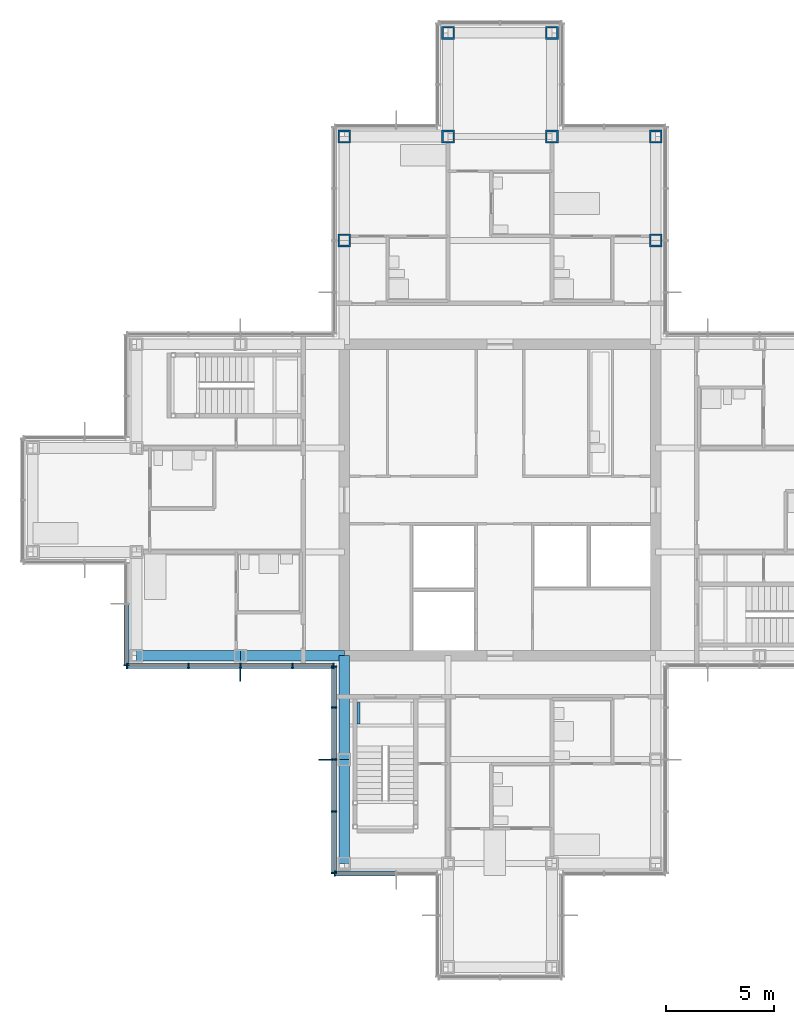
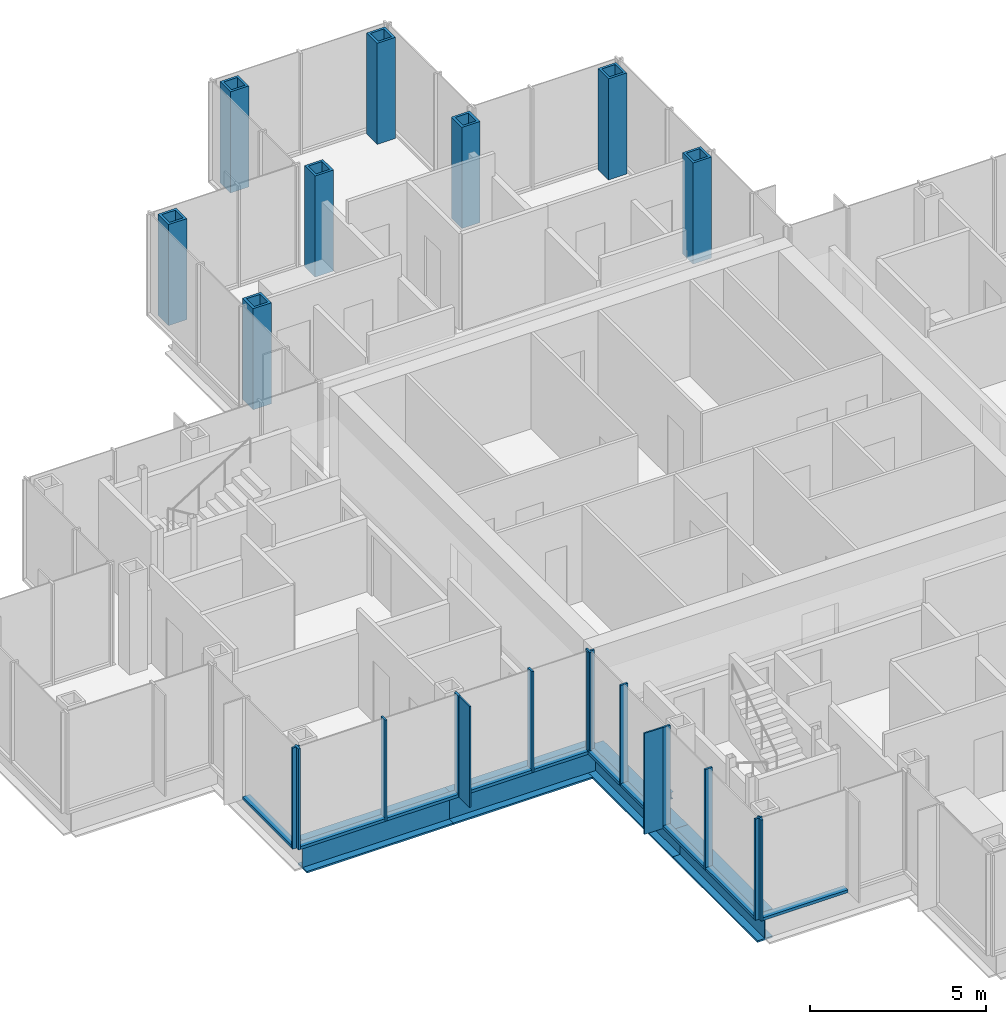
# One storey, part 5 of 17: 24 members, 8 columns, 5 beams, 4 elements without a shape of their own.
"""IFC4 building model written with IfcOpenShell, lengths in metres."""

from ifc_helpers import new_model, si_unit, direction, frame, origin, origin_2d, place, context, subcontext, project, spatial, rectangle, hollow_rectangle, i_section, extrude, material, material_profile, profile_set, type_object, element, aggregate, save


model = new_model("IFC4")

# Units and contexts
model_context = context("Model", 3, precision=1e-05, world=origin(), true_north=direction((0.0, 1.0)))
body_context = subcontext(model_context, "Body", "Model", "MODEL_VIEW")
ifc_project = project(units=[si_unit("LENGTHUNIT", "METRE"), si_unit("AREAUNIT", "SQUARE_METRE"), si_unit("VOLUMEUNIT", "CUBIC_METRE"), si_unit("PLANEANGLEUNIT", "RADIAN"), si_unit("MASSUNIT", "GRAM", prefix="KILO")], contexts=[model_context])

# Site, building, storey
site_placement = place(None, origin())
site = spatial("IfcSite", under=ifc_project, at=site_placement, CompositionType="ELEMENT")
building_placement = place(site_placement, origin())
building = spatial("IfcBuilding", under=site, at=building_placement, Name="Kvirike Care Tower", CompositionType="ELEMENT")
storey_placement = place(building_placement, frame((0.0, 0.0, 183.0)))
storey = spatial("IfcBuildingStorey", under=building, at=storey_placement, Name="L50", CompositionType="ELEMENT", Elevation=183.0)

# Columns
ifc_material_1 = material(Name="Steel S460", Category="steel")
ifc_material_profile_1 = material_profile(ifc_material_1, hollow_rectangle(XDim=0.60009765625, YDim=0.60009765625, WallThickness=0.080078125, at=origin_2d()), Name="BX 600x600x80")
ifc_profile_set_1 = profile_set([ifc_material_profile_1], Name="Steel S460")
column_type = type_object("IfcColumnType", Name="COLUMN BX 600x600x80", PredefinedType="COLUMN", material=ifc_profile_set_1)
for number, where, z_axis, x_axis, name in (
    (1, (14.39990234375, 48.0, 0.0), (0.0, 0.0, 1.0), (1.0, 0.0, 0.0), "Column L6 L50"),
    (2, (14.39990234375, 52.800048828125, 0.0), (0.0, 0.0, 1.0), (0.0, 1.0, 0.0), "Column M6 L50"),
    (3, (19.199951171875, 52.800048828125, 0.0), (0.0, 0.0, 1.0), (0.0, 1.0, 0.0), "Column M7 L50"),
    (4, (19.199951171875, 57.60009765625, 0.0), (0.0, 0.0, 1.0), (0.0, 1.0, 0.0), "Column N7 L50"),
    (5, (24.0, 52.800048828125, 0.0), (0.0, 0.0, 1.0), (0.0, 1.0, 0.0), "Column M8 L50"),
    (6, (24.0, 57.60009765625, 0.0), (0.0, 0.0, 1.0), (0.0, 1.0, 0.0), "Column N8 L50"),
    (7, (28.800048828125, 48.0, 0.0), (0.0, 0.0, 1.0), (1.0, 0.0, 0.0), "Column L9 L50"),
    (8, (28.800048828125, 52.800048828125, 0.0), (0.0, 0.0, 1.0), (0.0, 1.0, 0.0), "Column M9 L50"),
):
    element("IfcColumn", number, at=place(storey_placement, frame(where, z_axis=z_axis, x_axis=x_axis)), inside=storey, type_object=column_type, Name=name, PredefinedType="COLUMN", context=body_context, shape_type="SweptSolid", body=[
        extrude(hollow_rectangle(XDim=0.60009765625, YDim=0.60009765625, WallThickness=0.080078125, at=origin_2d()), origin(), (0.0, 0.0, 1.0), 3.5),
    ])

# Curtain wall, member
ifc_material_2 = material(Name="Anodised aluminium stick system", Category="aluminium")
curtain_wall_type = type_object("IfcCurtainWallType", Name="CW-C STICK CURTAIN WALL", PredefinedType="NOTDEFINED", material=ifc_material_2)
curtain_wall_1_placement = place(storey_placement, origin())
curtain_wall_1 = element("IfcCurtainWall", 9, at=curtain_wall_1_placement, inside=storey, type_object=curtain_wall_type, Name="Curtain wall L50 face 21", PredefinedType="NOTDEFINED")
ifc_material_3 = material(Name="Bronze anodised aluminium fin", Category="aluminium")
ifc_material_profile_2 = material_profile(ifc_material_3, rectangle(XDim=0.050048828125, YDim=0.60009765625, at=origin_2d()), Name="BRONZE FIN 600")
ifc_profile_set_2 = profile_set([ifc_material_profile_2], Name="Bronze anodised aluminium fin")
member_type_1 = type_object("IfcMemberType", Name="BRONZE FIN 600", PredefinedType="USERDEFINED", material=ifc_profile_set_2)
member_1_placement = place(storey_placement, frame((9.60009765625, 27.909912109375, 0.0), z_axis=(0.0, 0.0, 1.0), x_axis=(1.0, 0.0, 0.0)))
member_1 = element("IfcMember", 10, at=member_1_placement, type_object=member_type_1, Name="Bronze fin L50 face 21.3", ObjectType="FIN", PredefinedType="USERDEFINED", context=body_context, shape_type="SweptSolid", body=[
    extrude(rectangle(XDim=0.050048828125, YDim=0.60009765625, at=origin_2d()), origin(), (0.0, 0.0, 1.0), 3.5),
])

curtain_wall_2_placement = place(storey_placement, origin())
curtain_wall_2 = element("IfcCurtainWall", 11, at=curtain_wall_2_placement, inside=storey, type_object=curtain_wall_type, Name="Curtain wall L50 face 22", PredefinedType="NOTDEFINED")
member_2_placement = place(storey_placement, frame((13.510009765625, 24.0, 0.0), z_axis=(0.0, 0.0, 1.0), x_axis=(0.0, -1.0, 0.0)))
member_2 = element("IfcMember", 12, at=member_2_placement, type_object=member_type_1, Name="Bronze fin L50 face 22.3", ObjectType="FIN", PredefinedType="USERDEFINED", context=body_context, shape_type="SweptSolid", body=[
    extrude(rectangle(XDim=0.050048828125, YDim=0.60009765625, at=origin_2d()), origin(), (0.0, 0.0, 1.0), 3.5),
])

curtain_wall_3_placement = place(storey_placement, origin())
curtain_wall_3 = element("IfcCurtainWall", 13, at=curtain_wall_3_placement, inside=storey, type_object=curtain_wall_type, Name="Curtain wall L50 face 20", PredefinedType="NOTDEFINED")
ifc_material_4 = material(Name="Bronze anodised aluminium mullion", Category="aluminium")
ifc_material_profile_3 = material_profile(ifc_material_4, rectangle(XDim=0.06494140625, YDim=0.239990234375, at=origin_2d()), Name="CW-C MULLION 65x240")
ifc_profile_set_3 = profile_set([ifc_material_profile_3], Name="Bronze anodised aluminium mullion")
member_type_2 = type_object("IfcMemberType", Name="CW-C MULLION 65x240", PredefinedType="MULLION", material=ifc_profile_set_3)
member_3_placement = place(storey_placement, frame((4.330078125, 28.362548828125, 0.0), z_axis=(0.0, 0.0, 1.0), x_axis=(0.0, -1.0, 0.0)))
member_3 = element("IfcMember", 14, at=member_3_placement, type_object=member_type_2, Name="CW-C mullion L50 face 20.3", PredefinedType="MULLION", context=body_context, shape_type="SweptSolid", body=[
    extrude(rectangle(XDim=0.06494140625, YDim=0.239990234375, at=origin_2d()), origin(), (0.0, 0.0, 1.0), 3.5),
])

# Member
member_4_placement = place(storey_placement, frame((4.362548828125, 28.330078125, 0.0), z_axis=(0.0, 0.0, 1.0), x_axis=(1.0, 0.0, 0.0)))
member_4 = element("IfcMember", 15, at=member_4_placement, type_object=member_type_2, Name="CW-C mullion L50 face 21.1", PredefinedType="MULLION", context=body_context, shape_type="SweptSolid", body=[
    extrude(rectangle(XDim=0.06494140625, YDim=0.239990234375, at=origin_2d()), origin(), (0.0, 0.0, 1.0), 3.5),
])

member_5_placement = place(storey_placement, frame((7.199951171875, 28.330078125, 0.0), z_axis=(0.0, 0.0, 1.0), x_axis=(1.0, 0.0, 0.0)))
member_5 = element("IfcMember", 16, at=member_5_placement, type_object=member_type_2, Name="CW-C mullion L50 face 21.2", PredefinedType="MULLION", context=body_context, shape_type="SweptSolid", body=[
    extrude(rectangle(XDim=0.06494140625, YDim=0.239990234375, at=origin_2d()), origin(), (0.0, 0.0, 1.0), 3.5),
])

member_6_placement = place(storey_placement, frame((9.60009765625, 28.330078125, 0.0), z_axis=(0.0, 0.0, 1.0), x_axis=(1.0, 0.0, 0.0)))
member_6 = element("IfcMember", 17, at=member_6_placement, type_object=member_type_2, Name="CW-C mullion L50 face 21.3", PredefinedType="MULLION", context=body_context, shape_type="SweptSolid", body=[
    extrude(rectangle(XDim=0.06494140625, YDim=0.239990234375, at=origin_2d()), origin(), (0.0, 0.0, 1.0), 3.5),
])

member_7_placement = place(storey_placement, frame((12.0, 28.330078125, 0.0), z_axis=(0.0, 0.0, 1.0), x_axis=(1.0, 0.0, 0.0)))
member_7 = element("IfcMember", 18, at=member_7_placement, type_object=member_type_2, Name="CW-C mullion L50 face 21.4", PredefinedType="MULLION", context=body_context, shape_type="SweptSolid", body=[
    extrude(rectangle(XDim=0.06494140625, YDim=0.239990234375, at=origin_2d()), origin(), (0.0, 0.0, 1.0), 3.5),
])

member_8_placement = place(storey_placement, frame((13.8974609375, 28.330078125, 0.0), z_axis=(0.0, 0.0, 1.0), x_axis=(1.0, 0.0, 0.0)))
member_8 = element("IfcMember", 19, at=member_8_placement, type_object=member_type_2, Name="CW-C mullion L50 face 21.5", PredefinedType="MULLION", context=body_context, shape_type="SweptSolid", body=[
    extrude(rectangle(XDim=0.06494140625, YDim=0.239990234375, at=origin_2d()), origin(), (0.0, 0.0, 1.0), 3.5),
])

member_9_placement = place(storey_placement, frame((13.929931640625, 28.297607421875, 0.0), z_axis=(0.0, 0.0, 1.0), x_axis=(0.0, -1.0, 0.0)))
member_9 = element("IfcMember", 20, at=member_9_placement, type_object=member_type_2, Name="CW-C mullion L50 face 22.1", PredefinedType="MULLION", context=body_context, shape_type="SweptSolid", body=[
    extrude(rectangle(XDim=0.06494140625, YDim=0.239990234375, at=origin_2d()), origin(), (0.0, 0.0, 1.0), 3.5),
])

member_10_placement = place(storey_placement, frame((13.929931640625, 26.39990234375, 0.0), z_axis=(0.0, 0.0, 1.0), x_axis=(0.0, -1.0, 0.0)))
member_10 = element("IfcMember", 21, at=member_10_placement, type_object=member_type_2, Name="CW-C mullion L50 face 22.2", PredefinedType="MULLION", context=body_context, shape_type="SweptSolid", body=[
    extrude(rectangle(XDim=0.06494140625, YDim=0.239990234375, at=origin_2d()), origin(), (0.0, 0.0, 1.0), 3.5),
])

member_11_placement = place(storey_placement, frame((13.929931640625, 24.0, 0.0), z_axis=(0.0, 0.0, 1.0), x_axis=(0.0, -1.0, 0.0)))
member_11 = element("IfcMember", 22, at=member_11_placement, type_object=member_type_2, Name="CW-C mullion L50 face 22.3", PredefinedType="MULLION", context=body_context, shape_type="SweptSolid", body=[
    extrude(rectangle(XDim=0.06494140625, YDim=0.239990234375, at=origin_2d()), origin(), (0.0, 0.0, 1.0), 3.5),
])

member_12_placement = place(storey_placement, frame((13.929931640625, 21.60009765625, 0.0), z_axis=(0.0, 0.0, 1.0), x_axis=(0.0, -1.0, 0.0)))
member_12 = element("IfcMember", 23, at=member_12_placement, type_object=member_type_2, Name="CW-C mullion L50 face 22.4", PredefinedType="MULLION", context=body_context, shape_type="SweptSolid", body=[
    extrude(rectangle(XDim=0.06494140625, YDim=0.239990234375, at=origin_2d()), origin(), (0.0, 0.0, 1.0), 3.5),
])

member_13_placement = place(storey_placement, frame((13.929931640625, 18.762451171875, 0.0), z_axis=(0.0, 0.0, 1.0), x_axis=(0.0, -1.0, 0.0)))
member_13 = element("IfcMember", 24, at=member_13_placement, type_object=member_type_2, Name="CW-C mullion L50 face 22.5", PredefinedType="MULLION", context=body_context, shape_type="SweptSolid", body=[
    extrude(rectangle(XDim=0.06494140625, YDim=0.239990234375, at=origin_2d()), origin(), (0.0, 0.0, 1.0), 3.5),
])

# Curtain wall, member
curtain_wall_4_placement = place(storey_placement, origin())
curtain_wall_4 = element("IfcCurtainWall", 25, at=curtain_wall_4_placement, inside=storey, type_object=curtain_wall_type, Name="Curtain wall L50 face 23", PredefinedType="NOTDEFINED")
member_14_placement = place(storey_placement, frame((13.96240234375, 18.72998046875, 0.0), z_axis=(0.0, 0.0, 1.0), x_axis=(1.0, 0.0, 0.0)))
member_14 = element("IfcMember", 26, at=member_14_placement, type_object=member_type_2, Name="CW-C mullion L50 face 23.1", PredefinedType="MULLION", context=body_context, shape_type="SweptSolid", body=[
    extrude(rectangle(XDim=0.06494140625, YDim=0.239990234375, at=origin_2d()), origin(), (0.0, 0.0, 1.0), 3.5),
])

# Member
ifc_material_5 = material(Name="Bronze anodised aluminium transom", Category="aluminium")
ifc_material_profile_4 = material_profile(ifc_material_5, rectangle(XDim=0.239990234375, YDim=0.10009765625, at=origin_2d()), Name="CW-C TRANSOM 240x100")
ifc_profile_set_4 = profile_set([ifc_material_profile_4], Name="Bronze anodised aluminium transom")
member_type_3 = type_object("IfcMemberType", Name="CW-C TRANSOM 240x100", PredefinedType="USERDEFINED", material=ifc_profile_set_4)
member_15_placement = place(storey_placement, frame((4.330078125, 31.16748046875, 0.050048828125), z_axis=(0.0, -1.0, 0.0), x_axis=(1.0, 0.0, 0.0)))
member_15 = element("IfcMember", 27, at=member_15_placement, type_object=member_type_3, Name="CW-C sill transom L50 face 20.2", ObjectType="TRANSOM", PredefinedType="USERDEFINED", context=body_context, shape_type="SweptSolid", body=[
    extrude(rectangle(XDim=0.239990234375, YDim=0.10009765625, at=origin_2d()), origin(), (0.0, 0.0, 1.0), 2.7724609375),
])

aggregate(curtain_wall_3, [member_3, member_15])

member_16_placement = place(storey_placement, frame((4.39501953125, 28.330078125, 0.050048828125), z_axis=(1.0, 0.0, 0.0), x_axis=(0.0, 1.0, 0.0)))
member_16 = element("IfcMember", 28, at=member_16_placement, type_object=member_type_3, Name="CW-C sill transom L50 face 21.1", ObjectType="TRANSOM", PredefinedType="USERDEFINED", context=body_context, shape_type="SweptSolid", body=[
    extrude(rectangle(XDim=0.239990234375, YDim=0.10009765625, at=origin_2d()), origin(), (0.0, 0.0, 1.0), 2.7724609375),
])

member_17_placement = place(storey_placement, frame((7.232421875, 28.330078125, 0.050048828125), z_axis=(1.0, 0.0, 0.0), x_axis=(0.0, 1.0, 0.0)))
member_17 = element("IfcMember", 29, at=member_17_placement, type_object=member_type_3, Name="CW-C sill transom L50 face 21.2", ObjectType="TRANSOM", PredefinedType="USERDEFINED", context=body_context, shape_type="SweptSolid", body=[
    extrude(rectangle(XDim=0.239990234375, YDim=0.10009765625, at=origin_2d()), origin(), (0.0, 0.0, 1.0), 2.3349609375),
])

member_18_placement = place(storey_placement, frame((9.632568359375, 28.330078125, 0.050048828125), z_axis=(1.0, 0.0, 0.0), x_axis=(0.0, 1.0, 0.0)))
member_18 = element("IfcMember", 30, at=member_18_placement, type_object=member_type_3, Name="CW-C sill transom L50 face 21.3", ObjectType="TRANSOM", PredefinedType="USERDEFINED", context=body_context, shape_type="SweptSolid", body=[
    extrude(rectangle(XDim=0.239990234375, YDim=0.10009765625, at=origin_2d()), origin(), (0.0, 0.0, 1.0), 2.3349609375),
])

member_19_placement = place(storey_placement, frame((12.032470703125, 28.330078125, 0.050048828125), z_axis=(1.0, 0.0, 0.0), x_axis=(0.0, 1.0, 0.0)))
member_19 = element("IfcMember", 31, at=member_19_placement, type_object=member_type_3, Name="CW-C sill transom L50 face 21.4", ObjectType="TRANSOM", PredefinedType="USERDEFINED", context=body_context, shape_type="SweptSolid", body=[
    extrude(rectangle(XDim=0.239990234375, YDim=0.10009765625, at=origin_2d()), origin(), (0.0, 0.0, 1.0), 1.83251953125),
])

aggregate(curtain_wall_1, [member_4, member_5, member_6, member_1, member_7, member_8, member_16, member_17, member_18, member_19])

member_20_placement = place(storey_placement, frame((13.929931640625, 28.264892578125, 0.050048828125), z_axis=(0.0, -1.0, 0.0), x_axis=(1.0, 0.0, 0.0)))
member_20 = element("IfcMember", 32, at=member_20_placement, type_object=member_type_3, Name="CW-C sill transom L50 face 22.1", ObjectType="TRANSOM", PredefinedType="USERDEFINED", context=body_context, shape_type="SweptSolid", body=[
    extrude(rectangle(XDim=0.239990234375, YDim=0.10009765625, at=origin_2d()), origin(), (0.0, 0.0, 1.0), 1.832275390625),
])

member_21_placement = place(storey_placement, frame((13.929931640625, 26.367431640625, 0.050048828125), z_axis=(0.0, -1.0, 0.0), x_axis=(1.0, 0.0, 0.0)))
member_21 = element("IfcMember", 33, at=member_21_placement, type_object=member_type_3, Name="CW-C sill transom L50 face 22.2", ObjectType="TRANSOM", PredefinedType="USERDEFINED", context=body_context, shape_type="SweptSolid", body=[
    extrude(rectangle(XDim=0.239990234375, YDim=0.10009765625, at=origin_2d()), origin(), (0.0, 0.0, 1.0), 2.3349609375),
])

member_22_placement = place(storey_placement, frame((13.929931640625, 23.967529296875, 0.050048828125), z_axis=(0.0, -1.0, 0.0), x_axis=(1.0, 0.0, 0.0)))
member_22 = element("IfcMember", 34, at=member_22_placement, type_object=member_type_3, Name="CW-C sill transom L50 face 22.3", ObjectType="TRANSOM", PredefinedType="USERDEFINED", context=body_context, shape_type="SweptSolid", body=[
    extrude(rectangle(XDim=0.239990234375, YDim=0.10009765625, at=origin_2d()), origin(), (0.0, 0.0, 1.0), 2.3349609375),
])

member_23_placement = place(storey_placement, frame((13.929931640625, 21.5673828125, 0.050048828125), z_axis=(0.0, -1.0, 0.0), x_axis=(1.0, 0.0, 0.0)))
member_23 = element("IfcMember", 35, at=member_23_placement, type_object=member_type_3, Name="CW-C sill transom L50 face 22.4", ObjectType="TRANSOM", PredefinedType="USERDEFINED", context=body_context, shape_type="SweptSolid", body=[
    extrude(rectangle(XDim=0.239990234375, YDim=0.10009765625, at=origin_2d()), origin(), (0.0, 0.0, 1.0), 2.7724609375),
])

aggregate(curtain_wall_2, [member_9, member_10, member_11, member_2, member_12, member_13, member_20, member_21, member_22, member_23])

member_24_placement = place(storey_placement, frame((13.9951171875, 18.72998046875, 0.050048828125), z_axis=(1.0, 0.0, 0.0), x_axis=(0.0, 1.0, 0.0)))
member_24 = element("IfcMember", 36, at=member_24_placement, type_object=member_type_3, Name="CW-C sill transom L50 face 23.1", ObjectType="TRANSOM", PredefinedType="USERDEFINED", context=body_context, shape_type="SweptSolid", body=[
    extrude(rectangle(XDim=0.239990234375, YDim=0.10009765625, at=origin_2d()), origin(), (0.0, 0.0, 1.0), 2.7724609375),
])

aggregate(curtain_wall_4, [member_14, member_24])

# Beams
ifc_material_6 = material(Name="Steel S355", Category="steel")
ifc_material_profile_5 = material_profile(ifc_material_6, i_section(OverallWidth=0.5, OverallDepth=1.0, WebThickness=0.030029296875, FlangeThickness=0.06005859375, at=origin_2d()), Name="PG 1000x500x30x60")
ifc_profile_set_5 = profile_set([ifc_material_profile_5], Name="Steel S355")
beam_type_1 = type_object("IfcBeamType", Name="SPANDREL PG 1000x500x30x60", PredefinedType="SPANDREL", material=ifc_profile_set_5)
beam_1_placement = place(storey_placement, frame((4.800048828125, 28.800048828125, -0.669921875), z_axis=(1.0, 0.0, 0.0), x_axis=(0.0, 1.0, 0.0)))
element("IfcBeam", 37, at=beam_1_placement, inside=storey, type_object=beam_type_1, Name="Spandrel G4-G5 L50", PredefinedType="SPANDREL", context=body_context, shape_type="SweptSolid", body=[
    extrude(i_section(OverallWidth=0.5, OverallDepth=1.0, WebThickness=0.030029296875, FlangeThickness=0.06005859375, at=origin_2d()), origin(), (0.0, 0.0, 1.0), 4.800048828125),
])
beam_2_placement = place(storey_placement, frame((9.60009765625, 28.800048828125, -0.669921875), z_axis=(1.0, 0.0, 0.0), x_axis=(0.0, 1.0, 0.0)))
element("IfcBeam", 38, at=beam_2_placement, inside=storey, type_object=beam_type_1, Name="Spandrel G5-G6 L50", PredefinedType="SPANDREL", context=body_context, shape_type="SweptSolid", body=[
    extrude(i_section(OverallWidth=0.5, OverallDepth=1.0, WebThickness=0.030029296875, FlangeThickness=0.06005859375, at=origin_2d()), origin(), (0.0, 0.0, 1.0), 4.7998046875),
])
for number, where, z_axis, x_axis, name in (
    (39, (14.39990234375, 19.199951171875, -0.669921875), (0.0, 1.0, 0.0), (-1.0, 0.0, 0.0), "Spandrel E6-F6 L50"),
    (40, (14.39990234375, 24.0, -0.669921875), (0.0, 1.0, 0.0), (-1.0, 0.0, 0.0), "Spandrel F6-G6 L50"),
):
    element("IfcBeam", number, at=place(storey_placement, frame(where, z_axis=z_axis, x_axis=x_axis)), inside=storey, type_object=beam_type_1, Name=name, PredefinedType="SPANDREL", context=body_context, shape_type="SweptSolid", body=[
        extrude(i_section(OverallWidth=0.5, OverallDepth=1.0, WebThickness=0.030029296875, FlangeThickness=0.06005859375, at=origin_2d()), origin(), (0.0, 0.0, 1.0), 4.800048828125),
    ])
ifc_material_7 = material(Name="Steel S355", Category="steel")
ifc_material_profile_6 = material_profile(ifc_material_7, i_section(OverallWidth=0.1201171875, OverallDepth=0.239990234375, WebThickness=0.006103515625, FlangeThickness=0.009765625, FilletRadius=0.014892578125, at=origin_2d()), Name="IPE 240")
ifc_profile_set_6 = profile_set([ifc_material_profile_6], Name="Steel S355")
beam_type_2 = type_object("IfcBeamType", Name="STAIR LANDING BEAM IPE 240", PredefinedType="BEAM", material=ifc_profile_set_6)
beam_3_placement = place(storey_placement, frame((15.06005859375, 25.64990234375, -0.320068359375), z_axis=(0.0, 1.0, 0.0), x_axis=(-1.0, 0.0, 0.0)))
element("IfcBeam", 41, at=beam_3_placement, inside=storey, type_object=beam_type_2, Name="Stair 5 landing edge beam 1 L50", PredefinedType="BEAM", context=body_context, shape_type="SweptSolid", body=[
    extrude(i_section(OverallWidth=0.1201171875, OverallDepth=0.239990234375, WebThickness=0.006103515625, FlangeThickness=0.009765625, FilletRadius=0.014892578125, at=origin_2d()), origin(), (0.0, 0.0, 1.0), 1.0),
])

save(model, "model.ifc")
